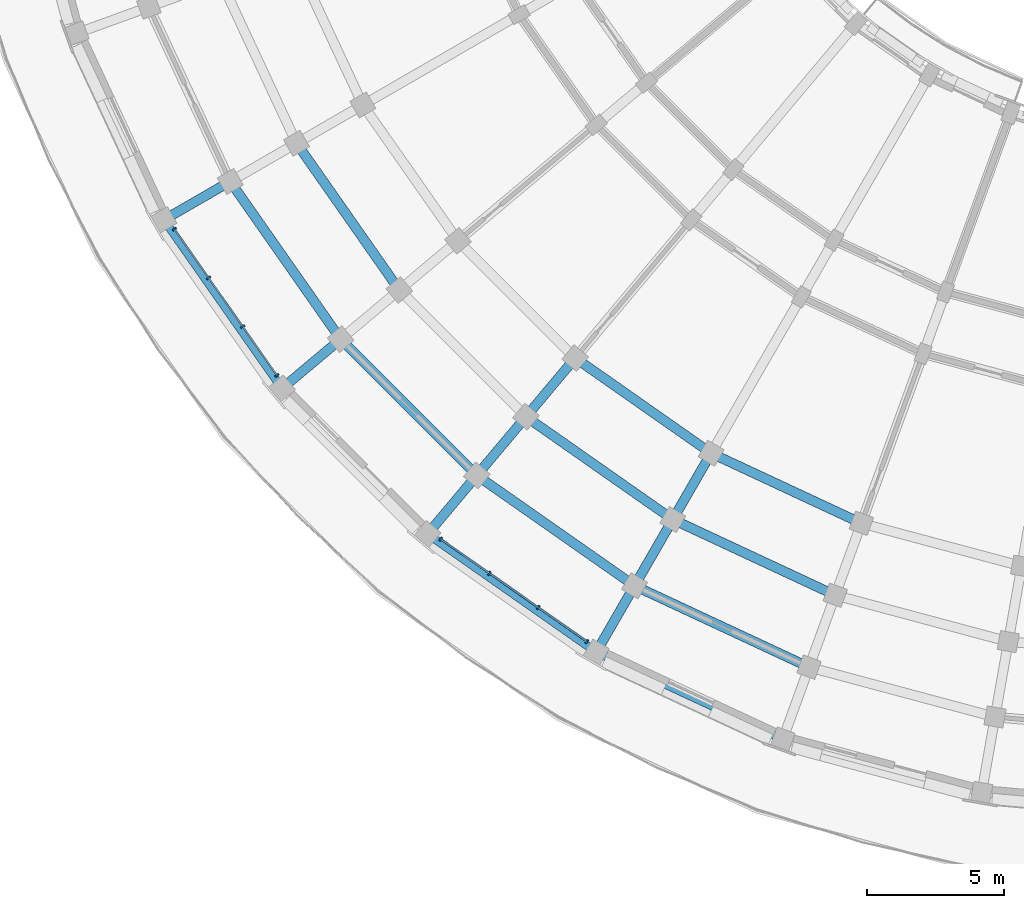
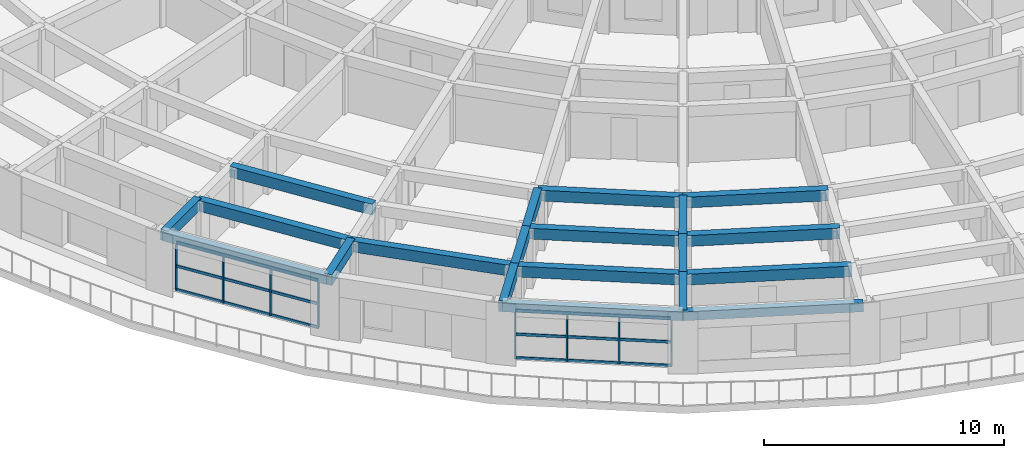
# One storey, part 4 of 57: 20 beams, 14 members, 2 elements without a shape of their own.
"""IFC4 building model written with IfcOpenShell, lengths in metres."""

from ifc_helpers import new_model, si_unit, direction, frame, origin, origin_2d, place, context, subcontext, project, spatial, rectangle, extrude, material, material_profile, profile_set, type_object, element, aggregate, save


model = new_model("IFC4")

# Units and contexts
model_context = context("Model", 3, precision=1e-05, world=origin(), true_north=direction((0.0, 1.0)))
body_context = subcontext(model_context, "Body", "Model", "MODEL_VIEW")
ifc_project = project(units=[si_unit("LENGTHUNIT", "METRE"), si_unit("AREAUNIT", "SQUARE_METRE"), si_unit("VOLUMEUNIT", "CUBIC_METRE"), si_unit("PLANEANGLEUNIT", "RADIAN"), si_unit("MASSUNIT", "GRAM", prefix="KILO")], contexts=[model_context])

# Site, building, storey
site_placement = place(None, origin())
site = spatial("IfcSite", under=ifc_project, at=site_placement, CompositionType="ELEMENT")
building_placement = place(site_placement, origin())
building = spatial("IfcBuilding", under=site, at=building_placement, Name="Kiranvali Square Residences", CompositionType="ELEMENT")
storey_placement = place(building_placement, frame((0.0, 0.0, 21.300048828125)))
storey = spatial("IfcBuildingStorey", under=building, at=storey_placement, Name="L06", CompositionType="ELEMENT", Elevation=21.300048828125)

# Beams
ifc_material_1 = material(Name="Concrete M40 (40 MPa)", Category="concrete")
ifc_material_profile_1 = material_profile(ifc_material_1, rectangle(XDim=0.35009765625, YDim=0.550048828125, at=origin_2d()), Name="RC 350x550")
ifc_profile_set_1 = profile_set([ifc_material_profile_1], Name="Concrete M40 (40 MPa)")
beam_type_1 = type_object("IfcBeamType", Name="BM-M40-350x550", PredefinedType="BEAM", material=ifc_profile_set_1)
beam_1_placement = place(storey_placement, frame((36.297607421875, 15.498779296875, 2.655029296875), z_axis=(-0.906312656069, 0.42260781991, 0.0), x_axis=(-0.42260781991, -0.906312656069, 0.0)))
element("IfcBeam", 1, at=beam_1_placement, inside=storey, type_object=beam_type_1, Name="L06 beam BM-C-L06-C02-R3", PredefinedType="BEAM", context=body_context, shape_type="SweptSolid", body=[
    extrude(rectangle(XDim=0.35009765625, YDim=0.550048828125, at=origin_2d()), origin(), (0.0, 0.0, 1.0), 6.06591796875),
])
beam_2_placement = place(storey_placement, frame((35.340087890625, 12.86767578125, 2.655029296875), z_axis=(-0.906318225223, 0.422595876255, 0.0), x_axis=(-0.422595876255, -0.906318225223, 0.0)))
element("IfcBeam", 2, at=beam_2_placement, inside=storey, type_object=beam_type_1, Name="L06 beam BM-C-L06-C02-R4", PredefinedType="BEAM", context=body_context, shape_type="SweptSolid", body=[
    extrude(rectangle(XDim=0.35009765625, YDim=0.550048828125, at=origin_2d()), origin(), (0.0, 0.0, 1.0), 6.55419921875),
])
beam_3_placement = place(storey_placement, frame((34.38232421875, 10.236328125, 2.655029296875), z_axis=(-0.906297360311, 0.422640621205, 0.0), x_axis=(-0.422640621205, -0.906297360311, 0.0)))
element("IfcBeam", 3, at=beam_3_placement, inside=storey, type_object=beam_type_1, Name="L06 beam BM-C-L06-C02-R5", PredefinedType="BEAM", context=body_context, shape_type="SweptSolid", body=[
    extrude(rectangle(XDim=0.35009765625, YDim=0.550048828125, at=origin_2d()), origin(), (0.0, 0.0, 1.0), 7.042236328125),
])
beam_4_placement = place(storey_placement, frame((30.800048828125, 18.062255859375, 2.655029296875), z_axis=(-0.81913926159, 0.573594691504, 0.0), x_axis=(-0.573594691504, -0.81913926159, 0.0)))
element("IfcBeam", 4, at=beam_4_placement, inside=storey, type_object=beam_type_1, Name="L06 beam BM-C-L06-C03-R3", PredefinedType="BEAM", context=body_context, shape_type="SweptSolid", body=[
    extrude(rectangle(XDim=0.35009765625, YDim=0.550048828125, at=origin_2d()), origin(), (0.0, 0.0, 1.0), 6.066162109375),
])
beam_5_placement = place(storey_placement, frame((29.39990234375, 15.637451171875, 2.655029296875), z_axis=(-0.819144409176, 0.573587340268, 0.0), x_axis=(-0.573587340268, -0.819144409176, 0.0)))
element("IfcBeam", 5, at=beam_5_placement, inside=storey, type_object=beam_type_1, Name="L06 beam BM-C-L06-C03-R4", PredefinedType="BEAM", context=body_context, shape_type="SweptSolid", body=[
    extrude(rectangle(XDim=0.35009765625, YDim=0.550048828125, at=origin_2d()), origin(), (0.0, 0.0, 1.0), 6.553955078125),
])
beam_6_placement = place(storey_placement, frame((28.0, 13.212646484375, 2.655029296875), z_axis=(-0.819160249246, 0.57356471828, 0.0), x_axis=(-0.57356471828, -0.819160249246, 0.0)))
element("IfcBeam", 6, at=beam_6_placement, inside=storey, type_object=beam_type_1, Name="L06 beam BM-C-L06-C03-R5", PredefinedType="BEAM", context=body_context, shape_type="SweptSolid", body=[
    extrude(rectangle(XDim=0.35009765625, YDim=0.550048828125, at=origin_2d()), origin(), (0.0, 0.0, 1.0), 7.0419921875),
])
beam_7_placement = place(storey_placement, frame((22.2314453125, 17.251708984375, 2.655029296875), z_axis=(-0.707106781187, 0.707106781187, 0.0), x_axis=(-0.707106781187, -0.707106781187, 0.0)))
element("IfcBeam", 7, at=beam_7_placement, inside=storey, type_object=beam_type_1, Name="L06 beam BM-C-L06-C04-R5", PredefinedType="BEAM", context=body_context, shape_type="SweptSolid", body=[
    extrude(rectangle(XDim=0.35009765625, YDim=0.550048828125, at=origin_2d()), origin(), (0.0, 0.0, 1.0), 7.04248046875),
])
beam_8_placement = place(storey_placement, frame((19.396728515625, 24.03125, 2.655029296875), z_axis=(-0.573587340268, 0.819144409176, 0.0), x_axis=(-0.819144409176, -0.573587340268, 0.0)))
element("IfcBeam", 8, at=beam_8_placement, inside=storey, type_object=beam_type_1, Name="L06 beam BM-C-L06-C05-R4", PredefinedType="BEAM", context=body_context, shape_type="SweptSolid", body=[
    extrude(rectangle(XDim=0.35009765625, YDim=0.550048828125, at=origin_2d()), origin(), (0.0, 0.0, 1.0), 6.553955078125),
])
beam_9_placement = place(storey_placement, frame((17.251708984375, 22.2314453125, 2.655029296875), z_axis=(-0.57356471828, 0.819160249246, 0.0), x_axis=(-0.819160249246, -0.57356471828, 0.0)))
element("IfcBeam", 9, at=beam_9_placement, inside=storey, type_object=beam_type_1, Name="L06 beam BM-C-L06-C05-R5", PredefinedType="BEAM", context=body_context, shape_type="SweptSolid", body=[
    extrude(rectangle(XDim=0.35009765625, YDim=0.550048828125, at=origin_2d()), origin(), (0.0, 0.0, 1.0), 7.0419921875),
])
beam_10_placement = place(storey_placement, frame((30.800048828125, 18.062255859375, 2.655029296875), z_axis=(-0.500049511043, -0.865996816683, 0.0), x_axis=(0.865996816683, -0.500049511043, 0.0)))
element("IfcBeam", 10, at=beam_10_placement, inside=storey, type_object=beam_type_1, Name="L06 beam BM-C-L06-RAD03-34", PredefinedType="BEAM", context=body_context, shape_type="SweptSolid", body=[
    extrude(rectangle(XDim=0.35009765625, YDim=0.550048828125, at=origin_2d()), origin(), (0.0, 0.0, 1.0), 2.800048828125),
])
beam_11_placement = place(storey_placement, frame((29.39990234375, 15.637451171875, 2.655029296875), z_axis=(-0.49998411664, -0.866034573852, 0.0), x_axis=(0.866034573852, -0.49998411664, 0.0)))
element("IfcBeam", 11, at=beam_11_placement, inside=storey, type_object=beam_type_1, Name="L06 beam BM-C-L06-RAD03-45", PredefinedType="BEAM", context=body_context, shape_type="SweptSolid", body=[
    extrude(rectangle(XDim=0.35009765625, YDim=0.550048828125, at=origin_2d()), origin(), (0.0, 0.0, 1.0), 2.7998046875),
])
for number, where, z_axis, x_axis, name in (
    (12, (28.0, 13.212646484375, 2.695068359375), (-0.49994636267, -0.866056369097, 0.0), (0.866056369097, -0.49994636267, 0.0), "L06 beam BM-C-L06-RAD03-56"),
    (13, (25.8310546875, 21.541748046875, 2.655029296875), (-0.642770757628, -0.766058583359, 0.0), (0.766058583359, -0.642770757628, 0.0), "L06 beam BM-C-L06-RAD04-34"),
    (14, (24.03125, 19.396728515625, 2.655029296875), (-0.642770757628, -0.766058583359, 0.0), (0.766058583359, -0.642770757628, 0.0), "L06 beam BM-C-L06-RAD04-45"),
):
    element("IfcBeam", number, at=place(storey_placement, frame(where, z_axis=z_axis, x_axis=x_axis)), inside=storey, type_object=beam_type_1, Name=name, PredefinedType="BEAM", context=body_context, shape_type="SweptSolid", body=[
        extrude(rectangle(XDim=0.35009765625, YDim=0.550048828125, at=origin_2d()), origin(), (0.0, 0.0, 1.0), 2.800048828125),
    ])
for number, where, z_axis, x_axis, name in (
    (15, (22.2314453125, 17.251708984375, 2.695068359375), (-0.642813692253, -0.76602255649, 0.0), (0.76602255649, -0.642813692253, 0.0), "L06 beam BM-C-L06-RAD04-56"),
    (16, (17.251708984375, 22.2314453125, 2.695068359375), (-0.76602255649, -0.642813692253, 0.0), (0.642813692253, -0.76602255649, 0.0), "L06 beam BM-C-L06-RAD05-56"),
):
    element("IfcBeam", number, at=place(storey_placement, frame(where, z_axis=z_axis, x_axis=x_axis)), inside=storey, type_object=beam_type_1, Name=name, PredefinedType="BEAM", context=body_context, shape_type="SweptSolid", body=[
        extrude(rectangle(XDim=0.35009765625, YDim=0.550048828125, at=origin_2d()), origin(), (0.0, 0.0, 1.0), 2.7998046875),
    ])
beam_12_placement = place(storey_placement, frame((13.212646484375, 28.0, 2.695068359375), z_axis=(-0.866056369097, -0.49994636267, 0.0), x_axis=(0.49994636267, -0.866056369097, 0.0)))
element("IfcBeam", 17, at=beam_12_placement, inside=storey, type_object=beam_type_1, Name="L06 beam BM-C-L06-RAD06-56", PredefinedType="BEAM", context=body_context, shape_type="SweptSolid", body=[
    extrude(rectangle(XDim=0.35009765625, YDim=0.550048828125, at=origin_2d()), origin(), (0.0, 0.0, 1.0), 2.800048828125),
])

# Curtain wall, members
ifc_material_2 = material(Name="Anodised bronze aluminium framing", Category="aluminium")
curtain_wall_type = type_object("IfcCurtainWallType", Name="CW-RES-LOG", PredefinedType="USERDEFINED", material=ifc_material_2)
curtain_wall_1_placement = place(storey_placement, origin())
curtain_wall_1 = element("IfcCurtainWall", 18, at=curtain_wall_1_placement, inside=storey, type_object=curtain_wall_type, Name="Block C L06 stepped curved terrace loggia 4", ObjectType="CURTAIN WALL", PredefinedType="USERDEFINED")
ifc_material_profile_2 = material_profile(ifc_material_2, rectangle(XDim=0.06494140625, YDim=0.159912109375, at=origin_2d()), Name="ALU 65x160")
ifc_profile_set_2 = profile_set([ifc_material_profile_2], Name="Anodised bronze aluminium framing")
member_type_1 = type_object("IfcMemberType", Name="CW-MUL-160", PredefinedType="MULLION", material=ifc_profile_set_2)
member_1_placement = place(storey_placement, frame((26.25927734375, 11.1728515625, 0.02001953125), z_axis=(0.0, 0.0, 1.0), x_axis=(-0.819152044289, 0.573576436351, 0.0)))
member_1 = element("IfcMember", 19, at=member_1_placement, type_object=member_type_1, Name="CW-C-L06-TER-03 vertical mullion 1", PredefinedType="MULLION", context=body_context, shape_type="SweptSolid", body=[
    extrude(rectangle(XDim=0.06494140625, YDim=0.159912109375, at=origin_2d()), origin(), (0.0, 0.0, 1.0), 2.43994140625),
])
member_2_placement = place(storey_placement, frame((24.47607421875, 12.42138671875, 0.02001953125), z_axis=(0.0, 0.0, 1.0), x_axis=(-0.819152044289, 0.573576436351, 0.0)))
member_2 = element("IfcMember", 20, at=member_2_placement, type_object=member_type_1, Name="CW-C-L06-TER-03 vertical mullion 2", PredefinedType="MULLION", context=body_context, shape_type="SweptSolid", body=[
    extrude(rectangle(XDim=0.06494140625, YDim=0.159912109375, at=origin_2d()), origin(), (0.0, 0.0, 1.0), 2.43994140625),
])
member_3_placement = place(storey_placement, frame((22.693115234375, 13.669921875, 0.02001953125), z_axis=(0.0, 0.0, 1.0), x_axis=(-0.819152044289, 0.573576436351, 0.0)))
member_3 = element("IfcMember", 21, at=member_3_placement, type_object=member_type_1, Name="CW-C-L06-TER-03 vertical mullion 3", PredefinedType="MULLION", context=body_context, shape_type="SweptSolid", body=[
    extrude(rectangle(XDim=0.06494140625, YDim=0.159912109375, at=origin_2d()), origin(), (0.0, 0.0, 1.0), 2.43994140625),
])
member_4_placement = place(storey_placement, frame((20.909912109375, 14.91845703125, 0.02001953125), z_axis=(0.0, 0.0, 1.0), x_axis=(-0.819152044289, 0.573576436351, 0.0)))
member_4 = element("IfcMember", 22, at=member_4_placement, type_object=member_type_1, Name="CW-C-L06-TER-03 vertical mullion 4", PredefinedType="MULLION", context=body_context, shape_type="SweptSolid", body=[
    extrude(rectangle(XDim=0.06494140625, YDim=0.159912109375, at=origin_2d()), origin(), (0.0, 0.0, 1.0), 2.43994140625),
])

curtain_wall_2_placement = place(storey_placement, origin())
curtain_wall_2 = element("IfcCurtainWall", 23, at=curtain_wall_2_placement, inside=storey, type_object=curtain_wall_type, Name="Block C L06 stepped curved terrace loggia 6", ObjectType="CURTAIN WALL", PredefinedType="USERDEFINED")
member_5_placement = place(storey_placement, frame((14.91845703125, 20.909912109375, 0.02001953125), z_axis=(0.0, 0.0, 1.0), x_axis=(-0.573576436351, 0.819152044289, 0.0)))
member_5 = element("IfcMember", 24, at=member_5_placement, type_object=member_type_1, Name="CW-C-L06-TER-05 vertical mullion 1", PredefinedType="MULLION", context=body_context, shape_type="SweptSolid", body=[
    extrude(rectangle(XDim=0.06494140625, YDim=0.159912109375, at=origin_2d()), origin(), (0.0, 0.0, 1.0), 2.43994140625),
])
member_6_placement = place(storey_placement, frame((13.669921875, 22.693115234375, 0.02001953125), z_axis=(0.0, 0.0, 1.0), x_axis=(-0.573576436351, 0.819152044289, 0.0)))
member_6 = element("IfcMember", 25, at=member_6_placement, type_object=member_type_1, Name="CW-C-L06-TER-05 vertical mullion 2", PredefinedType="MULLION", context=body_context, shape_type="SweptSolid", body=[
    extrude(rectangle(XDim=0.06494140625, YDim=0.159912109375, at=origin_2d()), origin(), (0.0, 0.0, 1.0), 2.43994140625),
])
member_7_placement = place(storey_placement, frame((12.42138671875, 24.47607421875, 0.02001953125), z_axis=(0.0, 0.0, 1.0), x_axis=(-0.573576436351, 0.819152044289, 0.0)))
member_7 = element("IfcMember", 26, at=member_7_placement, type_object=member_type_1, Name="CW-C-L06-TER-05 vertical mullion 3", PredefinedType="MULLION", context=body_context, shape_type="SweptSolid", body=[
    extrude(rectangle(XDim=0.06494140625, YDim=0.159912109375, at=origin_2d()), origin(), (0.0, 0.0, 1.0), 2.43994140625),
])
member_8_placement = place(storey_placement, frame((11.1728515625, 26.25927734375, 0.02001953125), z_axis=(0.0, 0.0, 1.0), x_axis=(-0.573576436351, 0.819152044289, 0.0)))
member_8 = element("IfcMember", 27, at=member_8_placement, type_object=member_type_1, Name="CW-C-L06-TER-05 vertical mullion 4", PredefinedType="MULLION", context=body_context, shape_type="SweptSolid", body=[
    extrude(rectangle(XDim=0.06494140625, YDim=0.159912109375, at=origin_2d()), origin(), (0.0, 0.0, 1.0), 2.43994140625),
])

# Member
ifc_material_profile_3 = material_profile(ifc_material_2, rectangle(XDim=0.06494140625, YDim=0.139892578125, at=origin_2d()), Name="ALU 65x140")
ifc_profile_set_3 = profile_set([ifc_material_profile_3], Name="Anodised bronze aluminium framing")
member_type_2 = type_object("IfcMemberType", Name="CW-TRN-140", PredefinedType="MULLION", material=ifc_profile_set_3)
member_9_placement = place(storey_placement, frame((26.2509765625, 11.178466796875, 0.0400390625), z_axis=(-0.819145582246, 0.573585664994, 0.0), x_axis=(-0.573585664994, -0.819145582246, 0.0)))
member_9 = element("IfcMember", 28, at=member_9_placement, type_object=member_type_2, Name="CW-C-L06-TER-03 horizontal transom 1", PredefinedType="MULLION", context=body_context, shape_type="SweptSolid", body=[
    extrude(rectangle(XDim=0.06494140625, YDim=0.139892578125, at=origin_2d()), origin(), (0.0, 0.0, 1.0), 6.51025390625),
])

member_10_placement = place(storey_placement, frame((26.2509765625, 11.178466796875, 1.239990234375), z_axis=(-0.819145582246, 0.573585664994, 0.0), x_axis=(-0.573585664994, -0.819145582246, 0.0)))
member_10 = element("IfcMember", 29, at=member_10_placement, type_object=member_type_2, Name="CW-C-L06-TER-03 horizontal transom 2", PredefinedType="MULLION", context=body_context, shape_type="SweptSolid", body=[
    extrude(rectangle(XDim=0.06494140625, YDim=0.139892578125, at=origin_2d()), origin(), (0.0, 0.0, 1.0), 6.51025390625),
])

member_11_placement = place(storey_placement, frame((26.2509765625, 11.178466796875, 2.43994140625), z_axis=(-0.819145582246, 0.573585664994, 0.0), x_axis=(-0.573585664994, -0.819145582246, 0.0)))
member_11 = element("IfcMember", 30, at=member_11_placement, type_object=member_type_2, Name="CW-C-L06-TER-03 horizontal transom 3", PredefinedType="MULLION", context=body_context, shape_type="SweptSolid", body=[
    extrude(rectangle(XDim=0.06494140625, YDim=0.139892578125, at=origin_2d()), origin(), (0.0, 0.0, 1.0), 6.51025390625),
])

aggregate(curtain_wall_1, [member_1, member_2, member_3, member_4, member_9, member_10, member_11])

member_12_placement = place(storey_placement, frame((14.91259765625, 20.918212890625, 0.0400390625), z_axis=(-0.573585664994, 0.819145582246, 0.0), x_axis=(-0.819145582246, -0.573585664994, 0.0)))
member_12 = element("IfcMember", 31, at=member_12_placement, type_object=member_type_2, Name="CW-C-L06-TER-05 horizontal transom 1", PredefinedType="MULLION", context=body_context, shape_type="SweptSolid", body=[
    extrude(rectangle(XDim=0.06494140625, YDim=0.139892578125, at=origin_2d()), origin(), (0.0, 0.0, 1.0), 6.51025390625),
])

member_13_placement = place(storey_placement, frame((14.91259765625, 20.918212890625, 1.239990234375), z_axis=(-0.573585664994, 0.819145582246, 0.0), x_axis=(-0.819145582246, -0.573585664994, 0.0)))
member_13 = element("IfcMember", 32, at=member_13_placement, type_object=member_type_2, Name="CW-C-L06-TER-05 horizontal transom 2", PredefinedType="MULLION", context=body_context, shape_type="SweptSolid", body=[
    extrude(rectangle(XDim=0.06494140625, YDim=0.139892578125, at=origin_2d()), origin(), (0.0, 0.0, 1.0), 6.51025390625),
])

member_14_placement = place(storey_placement, frame((14.91259765625, 20.918212890625, 2.43994140625), z_axis=(-0.573585664994, 0.819145582246, 0.0), x_axis=(-0.819145582246, -0.573585664994, 0.0)))
member_14 = element("IfcMember", 33, at=member_14_placement, type_object=member_type_2, Name="CW-C-L06-TER-05 horizontal transom 3", PredefinedType="MULLION", context=body_context, shape_type="SweptSolid", body=[
    extrude(rectangle(XDim=0.06494140625, YDim=0.139892578125, at=origin_2d()), origin(), (0.0, 0.0, 1.0), 6.51025390625),
])

aggregate(curtain_wall_2, [member_5, member_6, member_7, member_8, member_12, member_13, member_14])

# Beams
ifc_material_profile_4 = material_profile(ifc_material_1, rectangle(XDim=0.300048828125, YDim=0.449951171875, at=origin_2d()), Name="RC 300x450")
ifc_profile_set_4 = profile_set([ifc_material_profile_4], Name="Concrete M40 (40 MPa)")
beam_type_2 = type_object("IfcBeamType", Name="SPN-M40-300x450", PredefinedType="SPANDREL", material=ifc_profile_set_4)
for number, where, z_axis, x_axis, name in (
    (34, (33.4248046875, 7.605224609375, 2.744873046875), (-0.90630982703, 0.422613886933, 0.0), (-0.422613886933, -0.90630982703, 0.0), "L06 beam BM-C-L06-C02-R6"),
    (35, (26.60009765625, 10.78759765625, 2.744873046875), (-0.819143569597, 0.573588539275, 0.0), (-0.573588539275, -0.819143569597, 0.0), "L06 beam BM-C-L06-C03-R6"),
    (36, (15.10693359375, 20.431640625, 2.744873046875), (-0.573588539275, 0.819143569597, 0.0), (-0.819143569597, -0.573588539275, 0.0), "L06 beam BM-C-L06-C05-R6"),
):
    element("IfcBeam", number, at=place(storey_placement, frame(where, z_axis=z_axis, x_axis=x_axis)), inside=storey, type_object=beam_type_2, Name=name, PredefinedType="SPANDREL", context=body_context, shape_type="SweptSolid", body=[
        extrude(rectangle(XDim=0.300048828125, YDim=0.449951171875, at=origin_2d()), origin(), (0.0, 0.0, 1.0), 7.5302734375),
    ])

save(model, "model.ifc")
